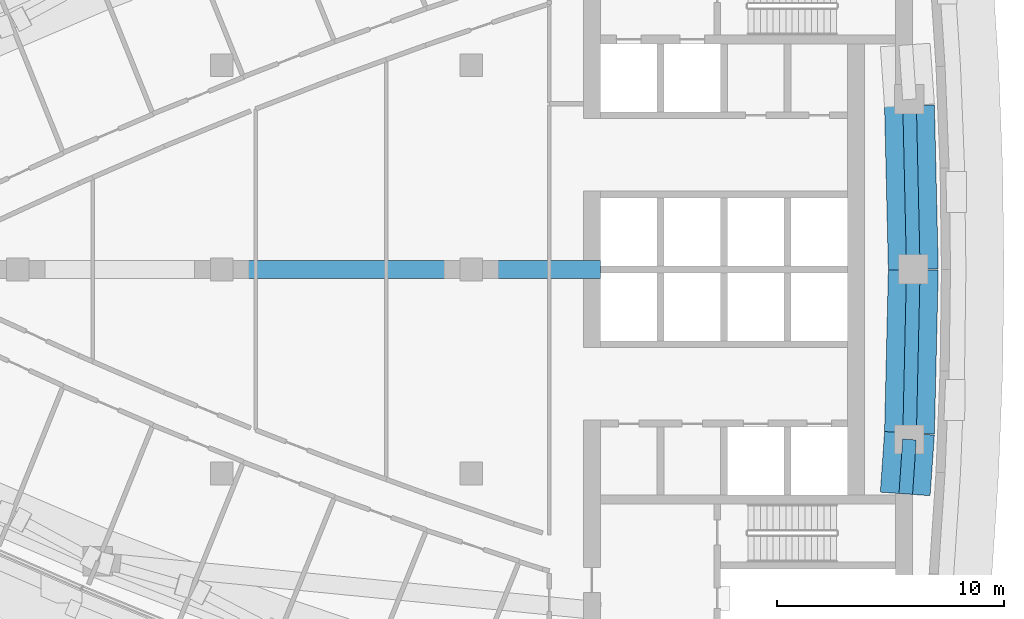
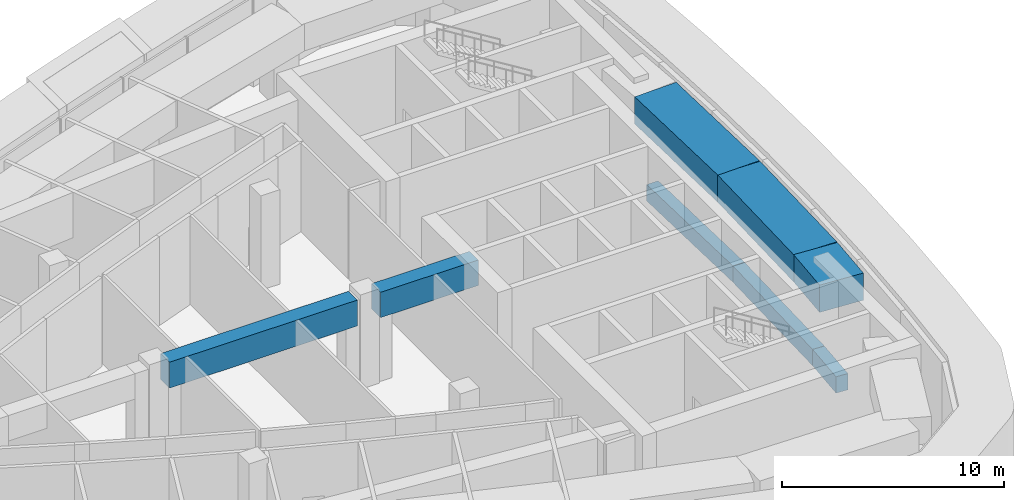
# One storey, part 5 of 17: 8 beams.
"""IFC4 building model written with IfcOpenShell, lengths in metres."""

from ifc_helpers import new_model, si_unit, direction, frame, origin, origin_2d, place, context, subcontext, project, spatial, rectangle, extrude, material, material_profile, profile_set, type_object, element, save


model = new_model("IFC4")

# Units and contexts
model_context = context("Model", 3, precision=1e-05, world=origin(), true_north=direction((0.0, 1.0)))
body_context = subcontext(model_context, "Body", "Model", "MODEL_VIEW")
ifc_project = project(units=[si_unit("LENGTHUNIT", "METRE"), si_unit("AREAUNIT", "SQUARE_METRE"), si_unit("VOLUMEUNIT", "CUBIC_METRE"), si_unit("PLANEANGLEUNIT", "RADIAN"), si_unit("MASSUNIT", "GRAM", prefix="KILO")], contexts=[model_context])

# Site, building, storey
site_placement = place(None, origin())
site = spatial("IfcSite", under=ifc_project, at=site_placement, CompositionType="ELEMENT")
building_placement = place(site_placement, origin())
building = spatial("IfcBuilding", under=site, at=building_placement, Name="Ostrand Prow Hotel Tower", CompositionType="ELEMENT")
storey_placement = place(building_placement, frame((0.0, 0.0, 211.0)))
storey = spatial("IfcBuildingStorey", under=building, at=storey_placement, Name="L53", CompositionType="ELEMENT", Elevation=211.0)

# Beams
ifc_material_1 = material(Name="Concrete C60/75", Category="concrete")
ifc_material_profile_1 = material_profile(ifc_material_1, rectangle(XDim=2.199951171875, YDim=1.5, at=origin_2d()), Name="RC 2200x1500")
ifc_profile_set_1 = profile_set([ifc_material_profile_1], Name="Concrete C60/75")
beam_type_1 = type_object("IfcBeamType", Name="Belt girder 2200x1500 C60/75", PredefinedType="BEAM", material=ifc_profile_set_1)
beam_1_placement = place(storey_placement, frame((64.14306640625, -9.89990234375, 4.14990234375), z_axis=(0.070120927848, 0.997538498243, 0.0), x_axis=(-0.997538498243, 0.070120927848, 0.0)))
element("IfcBeam", 1, at=beam_1_placement, inside=storey, type_object=beam_type_1, Name="Belt girder B1-B2", PredefinedType="BEAM", context=body_context, shape_type="SweptSolid", body=[
    extrude(rectangle(XDim=2.199951171875, YDim=1.5, at=origin_2d()), origin(), (0.0, 0.0, 1.0), 2.680908203125),
])
for number, where, z_axis, x_axis, name in (
    (2, (64.3310546875, -7.2255859375, 4.14990234375), (0.023375149365, 0.999726763867, 0.0), (-0.999726763867, 0.023375149365, 0.0), "Belt girder B2-B3"),
    (3, (64.5, 0.0, 4.14990234375), (-0.023375149365, 0.999726763867, 0.0), (-0.999726763867, -0.023375149365, 0.0), "Belt girder B3-B4"),
):
    element("IfcBeam", number, at=place(storey_placement, frame(where, z_axis=z_axis, x_axis=x_axis)), inside=storey, type_object=beam_type_1, Name=name, PredefinedType="BEAM", context=body_context, shape_type="SweptSolid", body=[
        extrude(rectangle(XDim=2.199951171875, YDim=1.5, at=origin_2d()), origin(), (0.0, 0.0, 1.0), 7.2275390625),
    ])
ifc_material_2 = material(Name="Concrete C60/75", Category="concrete")
ifc_material_profile_2 = material_profile(ifc_material_2, rectangle(XDim=0.60009765625, YDim=0.89990234375, at=origin_2d()), Name="RC 600x900")
ifc_profile_set_2 = profile_set([ifc_material_profile_2], Name="Concrete C60/75")
beam_type_2 = type_object("IfcBeamType", Name="Edge beam 600x900 C60/75", PredefinedType="SPANDREL", material=ifc_profile_set_2)
beam_2_placement = place(storey_placement, frame((64.167236328125, -9.89990234375, -0.85009765625), z_axis=(0.067778284608, 0.997700408006, 0.0), x_axis=(-0.997700408006, 0.067778284608, 0.0)))
element("IfcBeam", 4, at=beam_2_placement, inside=storey, type_object=beam_type_2, Name="Edge beam B1-B2", PredefinedType="SPANDREL", context=body_context, shape_type="SweptSolid", body=[
    extrude(rectangle(XDim=0.60009765625, YDim=0.89990234375, at=origin_2d()), origin(), (0.0, 0.0, 1.0), 2.40625),
])
for number, where, z_axis, x_axis, name in (
    (5, (64.330322265625, -7.499267578125, -0.85009765625), (0.022620118241, 0.999744132391, 0.0), (-0.999744132391, 0.022620118241, 0.0), "Edge beam B2-B3"),
    (6, (64.5, 0.0, -0.85009765625), (-0.022620118241, 0.999744132391, 0.0), (-0.999744132391, -0.022620118241, 0.0), "Edge beam B3-B4"),
):
    element("IfcBeam", number, at=place(storey_placement, frame(where, z_axis=z_axis, x_axis=x_axis)), inside=storey, type_object=beam_type_2, Name=name, PredefinedType="SPANDREL", context=body_context, shape_type="SweptSolid", body=[
        extrude(rectangle(XDim=0.60009765625, YDim=0.89990234375, at=origin_2d()), origin(), (0.0, 0.0, 1.0), 7.501220703125),
    ])
ifc_material_3 = material(Name="Concrete C60/75", Category="concrete")
ifc_material_profile_3 = material_profile(ifc_material_3, rectangle(XDim=0.800048828125, YDim=1.39990234375, at=origin_2d()), Name="RC 800x1400")
ifc_profile_set_3 = profile_set([ifc_material_profile_3], Name="Concrete C60/75")
beam_type_3 = type_object("IfcBeamType", Name="Outrigger lintel 800x1400 C60/75", PredefinedType="LINTEL", material=ifc_profile_set_3)
beam_3_placement = place(storey_placement, frame((45.60009765625, 0.0, 4.199951171875), z_axis=(1.0, 0.0, 0.0), x_axis=(0.0, 1.0, 0.0)))
element("IfcBeam", 7, at=beam_3_placement, inside=storey, type_object=beam_type_3, Name="Outrigger lintel A5", PredefinedType="LINTEL", context=body_context, shape_type="SweptSolid", body=[
    extrude(rectangle(XDim=0.800048828125, YDim=1.39990234375, at=origin_2d()), origin(), (0.0, 0.0, 1.0), 5.099853515625),
])
ifc_material_4 = material(Name="Concrete C60/75", Category="concrete")
ifc_material_profile_4 = material_profile(ifc_material_4, rectangle(XDim=0.800048828125, YDim=1.429931640625, at=origin_2d()), Name="RC 800x1430")
ifc_profile_set_4 = profile_set([ifc_material_profile_4], Name="Concrete C60/75")
beam_type_4 = type_object("IfcBeamType", Name="Outrigger lintel 800x1430 C60/75", PredefinedType="LINTEL", material=ifc_profile_set_4)
beam_4_placement = place(storey_placement, frame((34.60009765625, 0.0, 4.18505859375), z_axis=(1.0, 0.0, 0.0), x_axis=(0.0, 1.0, 0.0)))
element("IfcBeam", 8, at=beam_4_placement, inside=storey, type_object=beam_type_4, Name="Outrigger lintel A4", PredefinedType="LINTEL", context=body_context, shape_type="SweptSolid", body=[
    extrude(rectangle(XDim=0.800048828125, YDim=1.429931640625, at=origin_2d()), origin(), (0.0, 0.0, 1.0), 9.7998046875),
])

save(model, "model.ifc")
